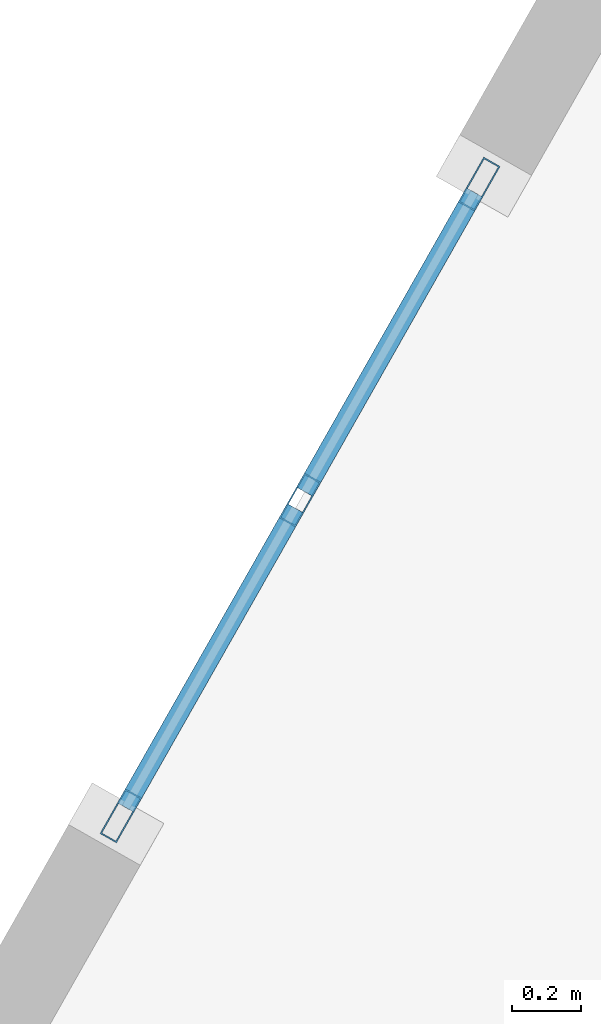
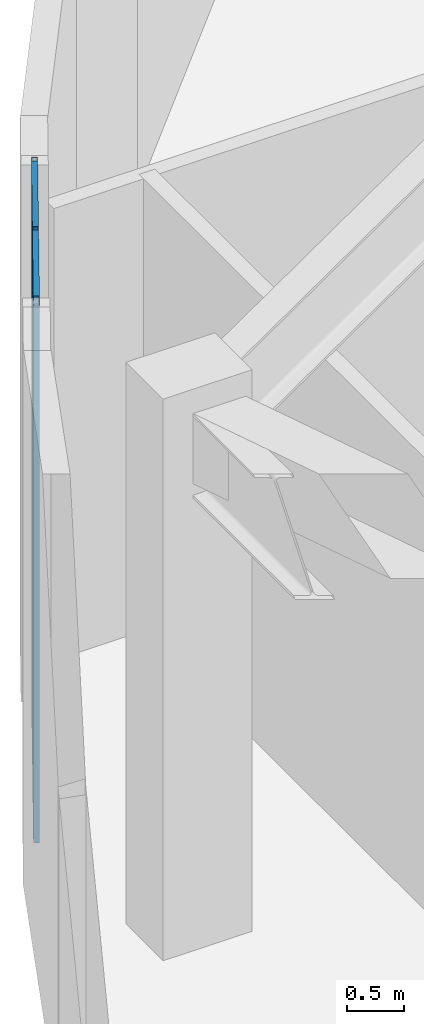
# One storey, part 4 of 10: 9 members, 1 element without a shape of its own.
"""IFC4 building model written with IfcOpenShell, lengths in metres."""

from ifc_helpers import new_model, si_unit, direction, frame, origin, origin_2d, place, context, subcontext, project, spatial, hollow_rectangle, extrude, material, layer, layer_set, material_profile, profile_set, type_object, element, aggregate, save


model = new_model("IFC4")

# Units and contexts
model_context = context("Model", 3, precision=1e-05, world=origin(), true_north=direction((0.0, 1.0)))
body_context = subcontext(model_context, "Body", "Model", "MODEL_VIEW")
ifc_project = project(units=[si_unit("LENGTHUNIT", "METRE"), si_unit("AREAUNIT", "SQUARE_METRE"), si_unit("VOLUMEUNIT", "CUBIC_METRE"), si_unit("PLANEANGLEUNIT", "RADIAN"), si_unit("MASSUNIT", "GRAM", prefix="KILO")], contexts=[model_context])

# Site, building, storey
site_placement = place(None, origin())
site = spatial("IfcSite", under=ifc_project, at=site_placement, CompositionType="ELEMENT")
building_placement = place(site_placement, origin())
building = spatial("IfcBuilding", under=site, at=building_placement, Name="Miruveldt Soraemaru", CompositionType="ELEMENT")
storey_placement = place(building_placement, frame((0.0, 0.0, 306.800048828125)))
storey = spatial("IfcBuildingStorey", under=building, at=storey_placement, Name="L81", CompositionType="ELEMENT", Elevation=306.800048828125)

# Curtain wall, members
ifc_material = material(Name="Anodised aluminium EN AW-6063 T6", Category="aluminium")
ifc_layer = layer(ifc_material, 0.14990234375, Name="Anodised aluminium EN AW-6063 T6", Category="aluminium")
ifc_layer_set = layer_set([ifc_layer], Name="Anodised aluminium EN AW-6063 T6")
curtain_wall_type = type_object("IfcCurtainWallType", Name="CW-SYS-6", PredefinedType="USERDEFINED", material=ifc_layer_set)
curtain_wall_placement = place(storey_placement, origin())
curtain_wall = element("IfcCurtainWall", 1, at=curtain_wall_placement, inside=storey, type_object=curtain_wall_type, Name="L81 Curtain Wall Bay 10", ObjectType="UNITISED GLAZING", PredefinedType="USERDEFINED")
ifc_material_profile_1 = material_profile(ifc_material, hollow_rectangle(XDim=0.054931640625, YDim=0.14990234375, WallThickness=0.00390625, at=origin_2d()), Name="Anodised aluminium EN AW-6063 T6", Category="aluminium")
ifc_profile_set_1 = profile_set([ifc_material_profile_1], Name="Anodised aluminium EN AW-6063 T6")
member_type_1 = type_object("IfcMemberType", Name="CWM-6", PredefinedType="MULLION", material=ifc_profile_set_1)
member_1_placement = place(storey_placement, frame((31.97021484375, 54.09228515625, 0.0), z_axis=(0.0, 0.0, 1.0), x_axis=(0.869821153437, -0.493367166554, 0.0)))
member_1 = element("IfcMember", 2, at=member_1_placement, type_object=member_type_1, Name="CW-6 mullion 1", PredefinedType="MULLION", context=body_context, shape_type="SweptSolid", body=[
    extrude(hollow_rectangle(XDim=0.054931640625, YDim=0.14990234375, WallThickness=0.00390625, at=origin_2d()), origin(), (0.0, 0.0, 1.0), 5.739990234375),
])
member_2_placement = place(storey_placement, frame((31.448486328125, 53.17236328125, 0.0), z_axis=(0.0, 0.0, 1.0), x_axis=(0.869821153437, -0.493367166554, 0.0)))
member_2 = element("IfcMember", 3, at=member_2_placement, type_object=member_type_1, Name="CW-6 mullion 2", PredefinedType="MULLION", context=body_context, shape_type="SweptSolid", body=[
    extrude(hollow_rectangle(XDim=0.054931640625, YDim=0.14990234375, WallThickness=0.00390625, at=origin_2d()), origin(), (0.0, 0.0, 1.0), 5.739990234375),
])
member_3_placement = place(storey_placement, frame((30.9267578125, 52.252685546875, 0.0), z_axis=(0.0, 0.0, 1.0), x_axis=(0.869821153437, -0.493367166554, 0.0)))
member_3 = element("IfcMember", 4, at=member_3_placement, type_object=member_type_1, Name="CW-6 mullion 3", PredefinedType="MULLION", context=body_context, shape_type="SweptSolid", body=[
    extrude(hollow_rectangle(XDim=0.054931640625, YDim=0.14990234375, WallThickness=0.00390625, at=origin_2d()), origin(), (0.0, 0.0, 1.0), 5.739990234375),
])
ifc_material_profile_2 = material_profile(ifc_material, hollow_rectangle(XDim=0.054931640625, YDim=0.1201171875, WallThickness=0.00390625, at=origin_2d()), Name="Anodised aluminium EN AW-6063 T6", Category="aluminium")
ifc_profile_set_2 = profile_set([ifc_material_profile_2], Name="Anodised aluminium EN AW-6063 T6")
member_type_2 = type_object("IfcMemberType", Name="CWT-6", PredefinedType="USERDEFINED", material=ifc_profile_set_2)
member_4_placement = place(storey_placement, frame((31.95654296875, 54.068359375, 0.02734375), z_axis=(-0.493172330426, -0.869931636683, 0.0), x_axis=(0.869931636683, -0.493172330426, 0.0)))
member_4 = element("IfcMember", 5, at=member_4_placement, type_object=member_type_2, Name="CW-6 transom 1.1", ObjectType="TRANSOM", PredefinedType="USERDEFINED", context=body_context, shape_type="SweptSolid", body=[
    extrude(hollow_rectangle(XDim=0.054931640625, YDim=0.1201171875, WallThickness=0.00390625, at=origin_2d()), origin(), (0.0, 0.0, 1.0), 1.00244140625),
])
member_5_placement = place(storey_placement, frame((31.95654296875, 54.068359375, 2.869873046875), z_axis=(-0.493172330426, -0.869931636683, 0.0), x_axis=(0.869931636683, -0.493172330426, 0.0)))
member_5 = element("IfcMember", 6, at=member_5_placement, type_object=member_type_2, Name="CW-6 transom 1.2", ObjectType="TRANSOM", PredefinedType="USERDEFINED", context=body_context, shape_type="SweptSolid", body=[
    extrude(hollow_rectangle(XDim=0.054931640625, YDim=0.1201171875, WallThickness=0.00390625, at=origin_2d()), origin(), (0.0, 0.0, 1.0), 1.00244140625),
])
member_6_placement = place(storey_placement, frame((31.95654296875, 54.068359375, 5.71240234375), z_axis=(-0.493172330426, -0.869931636683, 0.0), x_axis=(0.869931636683, -0.493172330426, 0.0)))
member_6 = element("IfcMember", 7, at=member_6_placement, type_object=member_type_2, Name="CW-6 transom 1.3", ObjectType="TRANSOM", PredefinedType="USERDEFINED", context=body_context, shape_type="SweptSolid", body=[
    extrude(hollow_rectangle(XDim=0.054931640625, YDim=0.1201171875, WallThickness=0.00390625, at=origin_2d()), origin(), (0.0, 0.0, 1.0), 1.00244140625),
])
member_7_placement = place(storey_placement, frame((31.434814453125, 53.1484375, 0.02734375), z_axis=(-0.493276834864, -0.869872383851, 0.0), x_axis=(0.869872383851, -0.493276834864, 0.0)))
member_7 = element("IfcMember", 8, at=member_7_placement, type_object=member_type_2, Name="CW-6 transom 2.1", ObjectType="TRANSOM", PredefinedType="USERDEFINED", context=body_context, shape_type="SweptSolid", body=[
    extrude(hollow_rectangle(XDim=0.054931640625, YDim=0.1201171875, WallThickness=0.00390625, at=origin_2d()), origin(), (0.0, 0.0, 1.0), 1.002197265625),
])
member_8_placement = place(storey_placement, frame((31.434814453125, 53.1484375, 2.869873046875), z_axis=(-0.493276834864, -0.869872383851, 0.0), x_axis=(0.869872383851, -0.493276834864, 0.0)))
member_8 = element("IfcMember", 9, at=member_8_placement, type_object=member_type_2, Name="CW-6 transom 2.2", ObjectType="TRANSOM", PredefinedType="USERDEFINED", context=body_context, shape_type="SweptSolid", body=[
    extrude(hollow_rectangle(XDim=0.054931640625, YDim=0.1201171875, WallThickness=0.00390625, at=origin_2d()), origin(), (0.0, 0.0, 1.0), 1.002197265625),
])
member_9_placement = place(storey_placement, frame((31.434814453125, 53.1484375, 5.71240234375), z_axis=(-0.493276834864, -0.869872383851, 0.0), x_axis=(0.869872383851, -0.493276834864, 0.0)))
member_9 = element("IfcMember", 10, at=member_9_placement, type_object=member_type_2, Name="CW-6 transom 2.3", ObjectType="TRANSOM", PredefinedType="USERDEFINED", context=body_context, shape_type="SweptSolid", body=[
    extrude(hollow_rectangle(XDim=0.054931640625, YDim=0.1201171875, WallThickness=0.00390625, at=origin_2d()), origin(), (0.0, 0.0, 1.0), 1.002197265625),
])
aggregate(curtain_wall, [member_1, member_2, member_3, member_4, member_5, member_6, member_7, member_8, member_9])

save(model, "model.ifc")
